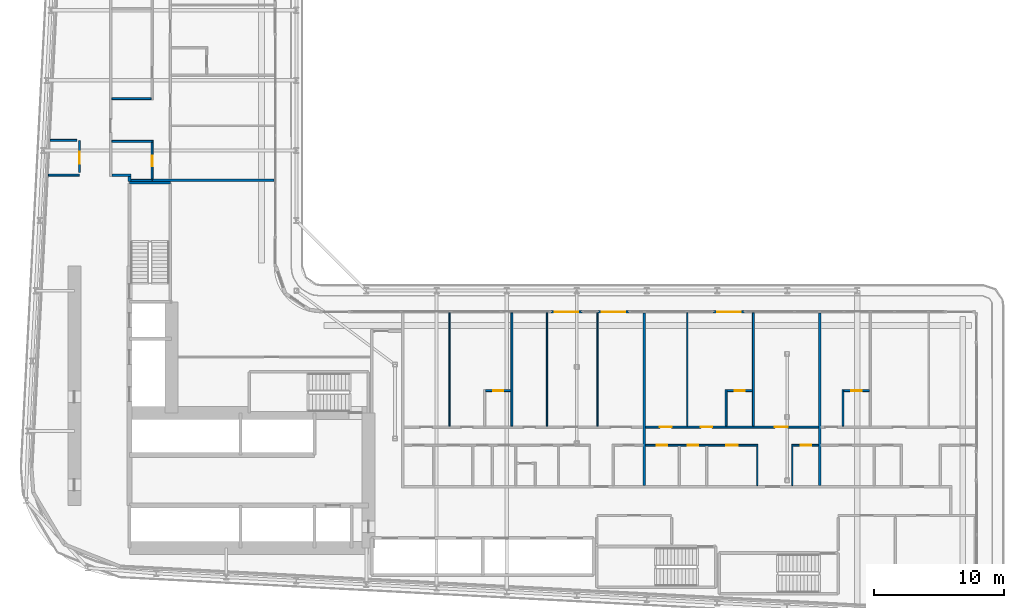
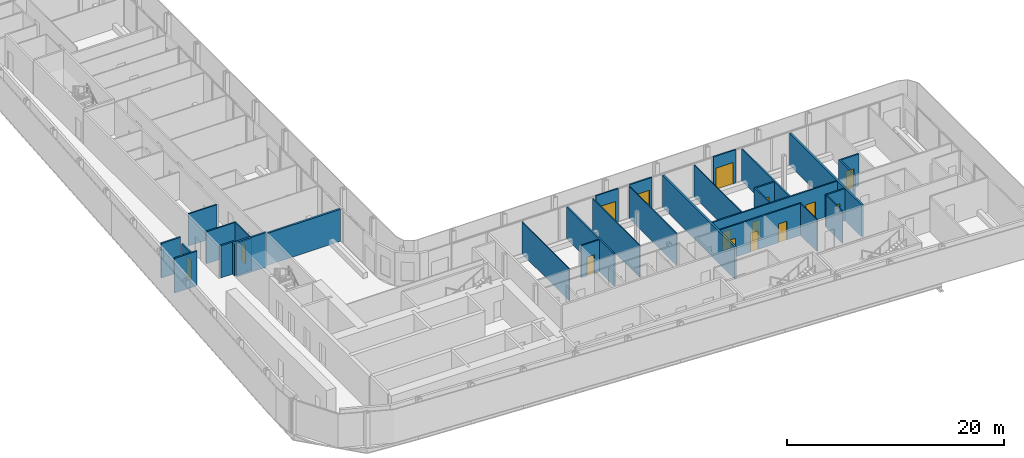
# One storey, part 17 of 29: 32 walls, 15 doors, 15 openings.
"""IFC4 building model written with IfcOpenShell, lengths in metres."""

import ifcopenshell
import ifcopenshell.guid

model = None  # the IFC model being written
_history = None  # IfcOwnerHistory: only IFC2X3 demands one
_inside = {}  # id of a spatial element -> (the spatial element, [elements in it])
_under = {}  # id of a project, library or spatial element -> (it, [spatial elements below it])
_declared = {}  # id of a project -> (the project, [libraries it declares])
_typed = {}  # id of a type object -> (the type object, [elements of that type])
_made_of = {}  # id of a material, layer set ... -> (it, [elements and type objects made of it])


def new_model(schema):
    """Start an empty IFC model of exactly this schema.

    Asked for "IFC4X3", IfcOpenShell would pick the latest addendum, in which some entities
    have other attributes; the version numbers below select the first issue.
    IFC2X3 requires an IfcOwnerHistory on every rooted entity: one is made here for all.
    """
    global model, _history
    if schema == "IFC4X3":
        model = ifcopenshell.file(schema_version=(4, 3, 0, 0))
    else:
        model = ifcopenshell.file(schema=schema)
    _inside.clear()
    _under.clear()
    _declared.clear()
    _typed.clear()
    _made_of.clear()
    _history = None
    if model.schema == "IFC2X3":
        org = make("IfcOrganization", Name="unknown")
        user = make(
            "IfcPersonAndOrganization",
            ThePerson=make("IfcPerson", FamilyName="unknown"),
            TheOrganization=org,
        )
        app = make(
            "IfcApplication",
            ApplicationDeveloper=org,
            Version="unknown",
            ApplicationFullName="unknown",
            ApplicationIdentifier="unknown",
        )
        _history = make(
            "IfcOwnerHistory",
            OwningUser=user,
            OwningApplication=app,
            ChangeAction="ADDED",
            CreationDate=0,
        )
    return model


def make(cls, **values):
    """One entity of the class cls with the attributes given. An attribute that is None is left unset."""
    return model.create_entity(
        cls, **{name: value for name, value in values.items() if value is not None}
    )


def rooted(cls, **values):
    """An entity with a GlobalId (a new one), such as an element, a storey or a relation."""
    return make(cls, GlobalId=ifcopenshell.guid.new(), OwnerHistory=_history, **values)


def si_unit(unit_type, name, prefix=None):
    """IfcSIUnit, for example si_unit("LENGTHUNIT", "METRE", prefix="MILLI")."""
    return make("IfcSIUnit", UnitType=unit_type, Prefix=prefix, Name=name)


def assignment(units):
    """IfcUnitAssignment: the units of a project."""
    return None if units is None else make("IfcUnitAssignment", Units=units)


def point(xyz):
    """IfcCartesianPoint."""
    return None if xyz is None else make("IfcCartesianPoint", Coordinates=xyz)


def direction(xyz):
    """IfcDirection."""
    return None if xyz is None else make("IfcDirection", DirectionRatios=xyz)


def frame(location, z_axis=None, x_axis=None):
    """IfcAxis2Placement3D, a coordinate frame: its origin and axes. An axis left out is left unset."""
    return make(
        "IfcAxis2Placement3D",
        Location=point(location),
        Axis=direction(z_axis),
        RefDirection=direction(x_axis),
    )


def frame_2d(location, x_axis=None):
    """IfcAxis2Placement2D, a coordinate frame in the plane: its origin and x axis."""
    return make(
        "IfcAxis2Placement2D", Location=point(location), RefDirection=direction(x_axis)
    )


def origin():
    """The frame at (0, 0, 0) with its axes left unset."""
    return frame((0.0, 0.0, 0.0))


def place(relative_to, where):
    """IfcLocalPlacement: puts the frame where relative to a parent placement (None: the world)."""
    return make(
        "IfcLocalPlacement", PlacementRelTo=relative_to, RelativePlacement=where
    )


def context(
    kind, dimensions, precision=None, world=None, true_north=None, identifier=None
):
    """IfcGeometricRepresentationContext, for example the 3D "Model" context."""
    return make(
        "IfcGeometricRepresentationContext",
        ContextIdentifier=identifier,
        ContextType=kind,
        CoordinateSpaceDimension=dimensions,
        Precision=precision,
        WorldCoordinateSystem=world,
        TrueNorth=true_north,
    )


def subcontext(parent, identifier, kind, view, scale=None):
    """IfcGeometricRepresentationSubContext, for example "Body" below "Model"."""
    return make(
        "IfcGeometricRepresentationSubContext",
        ContextIdentifier=identifier,
        ContextType=kind,
        ParentContext=parent,
        TargetScale=scale,
        TargetView=view,
    )


def project(units=None, contexts=None):
    """IfcProject with its units and contexts."""
    return rooted(
        "IfcProject",
        Name="project",
        RepresentationContexts=contexts,
        UnitsInContext=assignment(units),
    )


def spatial(cls, under=None, at=None, **own):
    """A site, building, storey or space (cls), placed at a placement, below another one or the project."""
    s = rooted(cls, ObjectPlacement=at, **own)
    if under is not None:
        _under.setdefault(under.id(), (under, []))[1].append(s)
    return s


def profile(cls, at=None, kind="AREA", **sizes):
    """A parametric profile (cls). Its sizes go by their IFC names, for example OverallWidth=200.0."""
    return make(cls, ProfileType=kind, Position=at, **sizes)


def rectangle(**sizes):
    """IfcRectangleProfileDef."""
    return profile("IfcRectangleProfileDef", **sizes)


def extrude(swept, where, along, depth):
    """IfcExtrudedAreaSolid: the profile swept, set in the frame where, extruded along a direction by depth."""
    return make(
        "IfcExtrudedAreaSolid",
        SweptArea=swept,
        Position=where,
        ExtrudedDirection=direction(along),
        Depth=depth,
    )


def shape(context_of_items, identifier, shape_type, items):
    """IfcShapeRepresentation: the items that make up one representation, for example the "Body"."""
    return make(
        "IfcShapeRepresentation",
        ContextOfItems=context_of_items,
        RepresentationIdentifier=identifier,
        RepresentationType=shape_type,
        Items=items,
    )


def source(mapping_origin, context_of_items, identifier, shape_type, items):
    """IfcRepresentationMap: a shape defined once, which mapped items show again and again."""
    return make(
        "IfcRepresentationMap",
        MappingOrigin=mapping_origin,
        MappedRepresentation=shape(context_of_items, identifier, shape_type, items),
    )


def transform(
    local_origin,
    x_axis=None,
    y_axis=None,
    z_axis=None,
    scale=None,
    scale2=None,
    scale3=None,
    uniform=True,
):
    """IfcCartesianTransformationOperator3D, or its non-uniform kind. x_axis, y_axis, z_axis: its Axis1, 2, 3."""
    if uniform:
        return make(
            "IfcCartesianTransformationOperator3D",
            Axis1=direction(x_axis),
            Axis2=direction(y_axis),
            LocalOrigin=point(local_origin),
            Scale=scale,
            Axis3=direction(z_axis),
        )
    return make(
        "IfcCartesianTransformationOperator3DnonUniform",
        Axis1=direction(x_axis),
        Axis2=direction(y_axis),
        LocalOrigin=point(local_origin),
        Scale=scale,
        Axis3=direction(z_axis),
        Scale2=scale2,
        Scale3=scale3,
    )


def mapped(mapping_source, mapping_target):
    """IfcMappedItem: shows the shape of a source again, moved by a transform."""
    return make(
        "IfcMappedItem", MappingSource=mapping_source, MappingTarget=mapping_target
    )


def material(Name=None, Category=None):
    """IfcMaterial."""
    return make("IfcMaterial", Name=Name, Category=Category)


def layer(
    of_material, thickness, ventilated=None, Name=None, Category=None, Priority=None
):
    """IfcMaterialLayer: one layer of a wall or slab, of a material (None: an air gap)."""
    return make(
        "IfcMaterialLayer",
        Material=of_material,
        LayerThickness=thickness,
        IsVentilated=ventilated,
        Name=Name,
        Category=Category,
        Priority=Priority,
    )


def layer_set(layers, Name=None):
    """IfcMaterialLayerSet."""
    return make("IfcMaterialLayerSet", MaterialLayers=layers, LayerSetName=Name)


def made_of(thing, what):
    """Note that an element or type object is made of a material, layer set ...; save() writes the relation."""
    if what is not None:
        _made_of.setdefault(what.id(), (what, []))[1].append(thing)
    return thing


def type_object(cls, material=None, **own):
    """A type object (cls), such as IfcWallType, which elements share."""
    return made_of(rooted(cls, **own), material)


def element(
    cls,
    number,
    at=None,
    inside=None,
    cuts=None,
    type_object=None,
    material=None,
    context=None,
    identifier="Body",
    shape_type=None,
    held_by="IfcProductDefinitionShape",
    body=None,
    shapes=None,
    **own,
):
    """One element of the class cls, such as IfcWall. Its Tag is "e" and its number.

    at: its placement. inside: the storey or other place that contains it. cuts: it is an
    opening in that element (IfcRelVoidsElement). A single representation is given by context,
    identifier, shape_type and body (its items); several are given by shapes. held_by: the class
    of the entity that holds the representations. save() writes the other relations.
    """
    e = rooted(cls, Tag="e%d" % number, ObjectPlacement=at, **own)
    if body is not None:
        shapes = [shape(context, identifier, shape_type, body)]
    if shapes is not None:
        e.Representation = make(held_by, Representations=shapes)
    if inside is not None:
        _inside.setdefault(inside.id(), (inside, []))[1].append(e)
    if cuts is not None:
        rooted(
            "IfcRelVoidsElement", RelatingBuildingElement=cuts, RelatedOpeningElement=e
        )
    if type_object is not None:
        _typed.setdefault(type_object.id(), (type_object, []))[1].append(e)
    return made_of(e, material)


def fill(opening, filler):
    """IfcRelFillsElement: the door or window that sits in an opening."""
    return rooted(
        "IfcRelFillsElement",
        RelatingOpeningElement=opening,
        RelatedBuildingElement=filler,
    )


def aggregate(whole, parts):
    """IfcRelAggregates: a whole, such as a stair, and the parts it consists of."""
    return rooted("IfcRelAggregates", RelatingObject=whole, RelatedObjects=parts)


def save(model, path):
    """Write the relations noted so far, then the file.

    IfcRelAggregates (storeys below a building ...), IfcRelContainedInSpatialStructure (elements
    in a storey), IfcRelDefinesByType, IfcRelAssociatesMaterial and IfcRelDeclares: one each for
    every whole, place, type object, material and project.
    """
    for whole, parts in _under.values():
        aggregate(whole, parts)
    for where, things in _inside.values():
        rooted(
            "IfcRelContainedInSpatialStructure",
            RelatedElements=things,
            RelatingStructure=where,
        )
    for kind, things in _typed.values():
        rooted("IfcRelDefinesByType", RelatedObjects=things, RelatingType=kind)
    for what, things in _made_of.values():
        rooted("IfcRelAssociatesMaterial", RelatedObjects=things, RelatingMaterial=what)
    for by, libraries in _declared.values():
        rooted("IfcRelDeclares", RelatingContext=by, RelatedDefinitions=libraries)
    model.write(path)


model = new_model("IFC4")

# Units and contexts
model_context = context("Model", 3, precision=1e-05, world=origin(), true_north=direction((0.0, 1.0)))
body_context = subcontext(model_context, "Body", "Model", "MODEL_VIEW")
ifc_project = project(units=[si_unit("LENGTHUNIT", "METRE"), si_unit("AREAUNIT", "SQUARE_METRE"), si_unit("VOLUMEUNIT", "CUBIC_METRE"), si_unit("PLANEANGLEUNIT", "RADIAN"), si_unit("MASSUNIT", "GRAM", prefix="KILO")], contexts=[model_context])

# Site, building, storey
site_placement = place(None, origin())
site = spatial("IfcSite", under=ifc_project, at=site_placement, CompositionType="ELEMENT")
building_placement = place(site_placement, origin())
building = spatial("IfcBuilding", under=site, at=building_placement, Name="Kheshtan School and Residences Tower", CompositionType="ELEMENT")
storey_placement = place(building_placement, frame((0.0, 0.0, 69.5)))
storey = spatial("IfcBuildingStorey", under=building, at=storey_placement, Name="L16", CompositionType="ELEMENT", Elevation=69.5)

# Walls
ifc_material_1 = material(Name="Gypsum board on steel studs with fire boards", Category="steel")
ifc_layer_1 = layer(ifc_material_1, 0.199951171875)
ifc_layer_set_1 = layer_set([ifc_layer_1], Name="Corridor wall 200")
wall_type_1 = type_object("IfcWallType", Name="Corridor wall 200", PredefinedType="PARTITIONING", material=ifc_layer_set_1)
wall_1_placement = place(storey_placement, frame((33.39990234375, 54.5, 0.0), z_axis=(0.0, 0.0, 1.0), x_axis=(1.0, 0.0, 0.0)))
element("IfcWall", 1, at=wall_1_placement, inside=storey, type_object=wall_type_1, Name="Partition L16-005", PredefinedType="PARTITIONING", context=body_context, shape_type="SweptSolid", body=[
    extrude(rectangle(XDim=1.4501953125, YDim=0.199951171875, at=frame_2d((0.72509765625, 0.0))), origin(), (0.0, 0.0, 1.0), 3.60009765625),
])
wall_2_placement = place(storey_placement, frame((34.75, 54.02490234375, 0.0), z_axis=(0.0, 0.0, 1.0), x_axis=(0.0, 1.0, 0.0)))
element("IfcWall", 2, at=wall_2_placement, inside=storey, type_object=wall_type_1, Name="Partition L16-015", PredefinedType="PARTITIONING", context=body_context, shape_type="SweptSolid", body=[
    extrude(rectangle(XDim=0.375, YDim=0.199951171875, at=frame_2d((0.1875, 0.0))), origin(), (0.0, 0.0, 1.0), 3.60009765625),
])

# Wall, opening, door
ifc_material_2 = material(Name="Aluminium frame wall with insulated infill", Category="aluminium")
ifc_layer_2 = layer(ifc_material_2, 0.14990234375)
ifc_layer_set_2 = layer_set([ifc_layer_2], Name="Glazing frame wall 150")
wall_type_2 = type_object("IfcWallType", Name="Glazing frame wall 150", PredefinedType="SOLIDWALL", material=ifc_layer_set_2)
wall_3_placement = place(storey_placement, frame((67.218017578125, 43.97509765625, 0.0), z_axis=(0.0, 0.0, 1.0), x_axis=(1.0, 0.0, 0.0)))
wall_3 = element("IfcWall", 3, at=wall_3_placement, inside=storey, type_object=wall_type_2, Name="Balcony door wall L16 12.2", PredefinedType="SOLIDWALL", context=body_context, shape_type="SweptSolid", body=[
    extrude(rectangle(XDim=2.39990234375, YDim=0.14990234375, at=frame_2d((1.199951171875, 0.0))), origin(), (0.0, 0.0, 1.0), 3.75),
])
opening_1_placement = place(wall_3_placement, frame((0.300048828125, 0.0, 0.0)))
opening_1 = element("IfcOpeningElement", 4, at=opening_1_placement, cuts=wall_3, Name="Opening BD", PredefinedType="OPENING", context=body_context, shape_type="SweptSolid", body=[
    extrude(rectangle(XDim=1.800048828125, YDim=2.39990234375, at=frame_2d((0.89990234375, 1.199951171875))), frame((0.0, 0.0849609375, 0.0), z_axis=(0.0, -1.0, 0.0), x_axis=(1.0, 0.0, 0.0)), (0.0, 0.0, 1.0), 0.169921875),
])
ifc_material_3 = material(Name="Clear low-e glass in thermally broken aluminium frame", Category="aluminium")
door_type_1 = type_object("IfcDoorType", Name="Balcony sliding door", OperationType="SLIDING_TO_LEFT", PredefinedType="DOOR", material=ifc_material_3)
shared_shape_1 = source(origin(), body_context, "Body", "SweptSolid", [
    extrude(rectangle(XDim=1.800048828125, YDim=2.39990234375, at=frame_2d((0.89990234375, 1.199951171875))), frame((0.0, 0.02490234375, 0.0), z_axis=(0.0, -1.0, 0.0), x_axis=(1.0, 0.0, 0.0)), (0.0, 0.0, 1.0), 0.050048828125),
])
door_1_placement = place(opening_1_placement, origin())
door_1 = element("IfcDoor", 5, at=door_1_placement, inside=storey, type_object=door_type_1, Name="Balcony door L16 12.2", OperationType="SLIDING_TO_LEFT", OverallHeight=2.39990234375, OverallWidth=1.800048828125, PredefinedType="DOOR", context=body_context, shape_type="MappedRepresentation", body=[
    mapped(shared_shape_1, transform((0.0, 0.0, 0.0), x_axis=(1.0, 0.0, 0.0), y_axis=(0.0, 1.0, 0.0), z_axis=(0.0, 0.0, 1.0), scale=1.0)),
])
fill(opening_1, door_1)

wall_4_placement = place(storey_placement, frame((70.818115234375, 43.97509765625, 0.0), z_axis=(0.0, 0.0, 1.0), x_axis=(1.0, 0.0, 0.0)))
wall_4 = element("IfcWall", 6, at=wall_4_placement, inside=storey, type_object=wall_type_2, Name="Balcony door wall L16 12.3", PredefinedType="SOLIDWALL", context=body_context, shape_type="SweptSolid", body=[
    extrude(rectangle(XDim=2.39990234375, YDim=0.14990234375, at=frame_2d((1.199951171875, 0.0))), origin(), (0.0, 0.0, 1.0), 3.75),
])
opening_2_placement = place(wall_4_placement, frame((0.300048828125, 0.0, 0.0)))
opening_2 = element("IfcOpeningElement", 7, at=opening_2_placement, cuts=wall_4, Name="Opening BD", PredefinedType="OPENING", context=body_context, shape_type="SweptSolid", body=[
    extrude(rectangle(XDim=1.800048828125, YDim=2.39990234375, at=frame_2d((0.89990234375, 1.199951171875))), frame((0.0, 0.0849609375, 0.0), z_axis=(0.0, -1.0, 0.0), x_axis=(1.0, 0.0, 0.0)), (0.0, 0.0, 1.0), 0.169921875),
])
door_2_placement = place(opening_2_placement, origin())
door_2 = element("IfcDoor", 8, at=door_2_placement, inside=storey, type_object=door_type_1, Name="Balcony door L16 12.3", OperationType="SLIDING_TO_LEFT", OverallHeight=2.39990234375, OverallWidth=1.800048828125, PredefinedType="DOOR", context=body_context, shape_type="MappedRepresentation", body=[
    mapped(shared_shape_1, transform((0.0, 0.0, 0.0), x_axis=(1.0, 0.0, 0.0), y_axis=(0.0, 1.0, 0.0), z_axis=(0.0, 0.0, 1.0), scale=1.0)),
])
fill(opening_2, door_2)

wall_5_placement = place(storey_placement, frame((79.7119140625, 43.97509765625, 0.0), z_axis=(0.0, 0.0, 1.0), x_axis=(1.0, 0.0, 0.0)))
wall_5 = element("IfcWall", 9, at=wall_5_placement, inside=storey, type_object=wall_type_2, Name="Balcony door wall L16 12.4", PredefinedType="SOLIDWALL", context=body_context, shape_type="SweptSolid", body=[
    extrude(rectangle(XDim=2.400146484375, YDim=0.14990234375, at=frame_2d((1.2001953125, 0.0))), origin(), (0.0, 0.0, 1.0), 3.75),
])
opening_3_placement = place(wall_5_placement, frame((0.300048828125, 0.0, 0.0)))
opening_3 = element("IfcOpeningElement", 10, at=opening_3_placement, cuts=wall_5, Name="Opening BD", PredefinedType="OPENING", context=body_context, shape_type="SweptSolid", body=[
    extrude(rectangle(XDim=1.800048828125, YDim=2.39990234375, at=frame_2d((0.89990234375, 1.199951171875))), frame((0.0, 0.0849609375, 0.0), z_axis=(0.0, -1.0, 0.0), x_axis=(1.0, 0.0, 0.0)), (0.0, 0.0, 1.0), 0.169921875),
])
door_3_placement = place(opening_3_placement, origin())
door_3 = element("IfcDoor", 11, at=door_3_placement, inside=storey, type_object=door_type_1, Name="Balcony door L16 12.4", OperationType="SLIDING_TO_LEFT", OverallHeight=2.39990234375, OverallWidth=1.800048828125, PredefinedType="DOOR", context=body_context, shape_type="MappedRepresentation", body=[
    mapped(shared_shape_1, transform((0.0, 0.0, 0.0), x_axis=(1.0, 0.0, 0.0), y_axis=(0.0, 1.0, 0.0), z_axis=(0.0, 0.0, 1.0), scale=1.0)),
])
fill(opening_3, door_3)

# Walls
ifc_material_4 = material(Name="Gypsum board on steel studs", Category="steel")
ifc_layer_3 = layer(ifc_material_4, 0.10009765625)
ifc_layer_set_3 = layer_set([ifc_layer_3], Name="Gypsum partition 100")
wall_type_3 = type_object("IfcWallType", Name="Gypsum partition 100", PredefinedType="PARTITIONING", material=ifc_layer_set_3)
for number, where, z_axis, x_axis, name in (
    (12, (59.39990234375, 35.175048828125, 0.0), (0.0, 0.0, 1.0), (0.0, 1.0, 0.0), "Partition L16-045"),
    (13, (66.89990234375, 35.175048828125, 0.0), (0.0, 0.0, 1.0), (0.0, 1.0, 0.0), "Partition L16-054"),
    (14, (70.800048828125, 35.175048828125, 0.0), (0.0, 0.0, 1.0), (0.0, 1.0, 0.0), "Partition L16-057"),
    (15, (77.699951171875, 35.175048828125, 0.0), (0.0, 0.0, 1.0), (0.0, 1.0, 0.0), "Partition L16-064"),
):
    element("IfcWall", number, at=place(storey_placement, frame(where, z_axis=z_axis, x_axis=x_axis)), inside=storey, type_object=wall_type_3, Name=name, PredefinedType="PARTITIONING", context=body_context, shape_type="SweptSolid", body=[
        extrude(rectangle(XDim=8.724853515625, YDim=0.10009765625, at=frame_2d((4.3623046875, 0.0))), origin(), (0.0, 0.0, 1.0), 3.60009765625),
    ])
for number, where, z_axis, x_axis, name in (
    (16, (83.10009765625, 30.60009765625, 0.0), (0.0, 0.0, 1.0), (0.0, 1.0, 0.0), "Partition L16-069"),
    (17, (85.800048828125, 30.60009765625, 0.0), (0.0, 0.0, 1.0), (0.0, 1.0, 0.0), "Partition L16-071"),
):
    element("IfcWall", number, at=place(storey_placement, frame(where, z_axis=z_axis, x_axis=x_axis)), inside=storey, type_object=wall_type_3, Name=name, PredefinedType="PARTITIONING", context=body_context, shape_type="SweptSolid", body=[
        extrude(rectangle(XDim=3.02490234375, YDim=0.10009765625, at=frame_2d((1.512451171875, 0.0))), origin(), (0.0, 0.0, 1.0), 3.60009765625),
    ])
ifc_material_5 = material(Name="Fire-board shaft wall system")
ifc_layer_4 = layer(ifc_material_5, 0.14990234375)
ifc_layer_set_4 = layer_set([ifc_layer_4], Name="Service room wall 150")
wall_type_4 = type_object("IfcWallType", Name="Service room wall 150", PredefinedType="PARTITIONING", material=ifc_layer_set_4)
wall_6_placement = place(storey_placement, frame((28.508056640625, 54.5, 0.0), z_axis=(0.0, 0.0, 1.0), x_axis=(1.0, 0.0, 0.0)))
element("IfcWall", 18, at=wall_6_placement, inside=storey, type_object=wall_type_4, Name="Service room wall", PredefinedType="PARTITIONING", context=body_context, shape_type="SweptSolid", body=[
    extrude(rectangle(XDim=2.391845703125, YDim=0.14990234375, at=frame_2d((1.19580078125, 0.0))), origin(), (0.0, 0.0, 1.0), 3.89990234375),
])

# Wall, opening, door
wall_7_placement = place(storey_placement, frame((30.89990234375, 54.695068359375, 0.0), z_axis=(0.0, 0.0, 1.0), x_axis=(0.0, 1.0, 0.0)))
wall_7 = element("IfcWall", 19, at=wall_7_placement, inside=storey, type_object=wall_type_4, Name="Service room wall", PredefinedType="PARTITIONING", context=body_context, shape_type="SweptSolid", body=[
    extrude(rectangle(XDim=2.48681640625, YDim=0.14990234375, at=frame_2d((1.243408203125, 0.0))), origin(), (0.0, 0.0, 1.0), 3.072021484375),
])
opening_4_placement = place(wall_7_placement, frame((0.696044921875, 0.0, 0.0)))
opening_4 = element("IfcOpeningElement", 20, at=opening_4_placement, cuts=wall_7, Name="Opening SR90", PredefinedType="OPENING", context=body_context, shape_type="SweptSolid", body=[
    extrude(rectangle(XDim=0.89990234375, YDim=2.199951171875, at=frame_2d((0.449951171875, 1.10009765625))), frame((0.0, 0.0849609375, 0.0), z_axis=(0.0, -1.0, 0.0), x_axis=(1.0, 0.0, 0.0)), (0.0, 0.0, 1.0), 0.169921875),
])
ifc_material_6 = material(Name="Steel door leaf, galvanised", Category="steel")
door_type_2 = type_object("IfcDoorType", Name="Service room door 900 steel 90 min", OperationType="SINGLE_SWING_LEFT", PredefinedType="DOOR", material=ifc_material_6)
shared_shape_2 = source(origin(), body_context, "Body", "SweptSolid", [
    extrude(rectangle(XDim=0.89990234375, YDim=2.199951171875, at=frame_2d((0.449951171875, 1.10009765625))), frame((0.0, 0.02490234375, 0.0), z_axis=(0.0, -1.0, 0.0), x_axis=(1.0, 0.0, 0.0)), (0.0, 0.0, 1.0), 0.050048828125),
])
door_4_placement = place(opening_4_placement, origin())
door_4 = element("IfcDoor", 21, at=door_4_placement, inside=storey, type_object=door_type_2, Name="Service room door", OperationType="SINGLE_SWING_LEFT", OverallHeight=2.199951171875, OverallWidth=0.89990234375, PredefinedType="DOOR", context=body_context, shape_type="MappedRepresentation", body=[
    mapped(shared_shape_2, transform((0.0, 0.0, 0.0), x_axis=(1.0, 0.0, 0.0), y_axis=(0.0, 1.0, 0.0), z_axis=(0.0, 0.0, 1.0), scale=1.0)),
])
fill(opening_4, door_4)

# Walls
wall_8_placement = place(storey_placement, frame((28.64892578125, 57.181884765625, 0.0), z_axis=(0.0, 0.0, 1.0), x_axis=(1.0, 0.0, 0.0)))
element("IfcWall", 22, at=wall_8_placement, inside=storey, type_object=wall_type_4, Name="Service room wall", PredefinedType="PARTITIONING", context=body_context, shape_type="SweptSolid", body=[
    extrude(rectangle(XDim=2.05615234375, YDim=0.14990234375, at=frame_2d((1.028076171875, 0.0))), origin(), (0.0, 0.0, 1.0), 3.89990234375),
])
ifc_material_7 = material(Name="Concrete C40/50", Category="concrete")
ifc_layer_5 = layer(ifc_material_7, 0.199951171875)
ifc_layer_set_5 = layer_set([ifc_layer_5], Name="Stair enclosure wall 200 Concrete C40/50")
wall_type_5 = type_object("IfcWallType", Name="Stair enclosure wall 200 Concrete C40/50", PredefinedType="SHEAR", material=ifc_layer_set_5)
wall_9_placement = place(storey_placement, frame((34.75, 53.909912109375, 0.0), z_axis=(0.0, 0.0, 1.0), x_axis=(1.0, 0.0, 0.0)))
element("IfcWall", 23, at=wall_9_placement, inside=storey, type_object=wall_type_5, Name="Stair enclosure wall ST2", PredefinedType="SHEAR", context=body_context, shape_type="SweptSolid", body=[
    extrude(rectangle(XDim=3.14990234375, YDim=0.199951171875, at=frame_2d((1.574951171875, 0.0))), origin(), (0.0, 0.0, 1.0), 3.89990234375),
])
ifc_material_8 = material(Name="Twin gypsum board on steel studs with mineral wool", Category="steel")
ifc_layer_6 = layer(ifc_material_8, 0.199951171875)
ifc_layer_set_6 = layer_set([ifc_layer_6], Name="Unit demising wall 200")
wall_type_6 = type_object("IfcWallType", Name="Unit demising wall 200", PredefinedType="PARTITIONING", material=ifc_layer_set_6)
wall_10_placement = place(storey_placement, frame((36.5, 54.10009765625, 0.0), z_axis=(0.0, 0.0, 1.0), x_axis=(1.0, 0.0, 0.0)))
element("IfcWall", 24, at=wall_10_placement, inside=storey, type_object=wall_type_6, Name="Partition L16-019", PredefinedType="PARTITIONING", context=body_context, shape_type="SweptSolid", body=[
    extrude(rectangle(XDim=9.39990234375, YDim=0.199951171875, at=frame_2d((4.699951171875, 0.0))), origin(), (0.0, 0.0, 1.0), 3.60009765625),
])
for number, where, z_axis, x_axis, name in (
    (25, (74.39990234375, 30.60009765625, 0.0), (0.0, 0.0, 1.0), (0.0, 1.0, 0.0), "Partition L16-060"),
    (26, (87.89990234375, 30.60009765625, 0.0), (0.0, 0.0, 1.0), (0.0, 1.0, 0.0), "Partition L16-072"),
):
    element("IfcWall", number, at=place(storey_placement, frame(where, z_axis=z_axis, x_axis=x_axis)), inside=storey, type_object=wall_type_6, Name=name, PredefinedType="PARTITIONING", context=body_context, shape_type="SweptSolid", body=[
        extrude(rectangle(XDim=13.2998046875, YDim=0.199951171875, at=frame_2d((6.64990234375, 0.0))), origin(), (0.0, 0.0, 1.0), 3.60009765625),
    ])
ifc_material_9 = material(Name="Moisture-resistant gypsum board on steel studs", Category="steel")
ifc_layer_7 = layer(ifc_material_9, 0.14990234375)
ifc_layer_set_7 = layer_set([ifc_layer_7], Name="Wet-room partition 150")
wall_type_7 = type_object("IfcWallType", Name="Wet-room partition 150", PredefinedType="PARTITIONING", material=ifc_layer_set_7)
wall_11_placement = place(storey_placement, frame((33.39990234375, 57.10009765625, 0.0), z_axis=(0.0, 0.0, 1.0), x_axis=(1.0, 0.0, 0.0)))
element("IfcWall", 27, at=wall_11_placement, inside=storey, type_object=wall_type_7, Name="Partition L16-006", PredefinedType="PARTITIONING", context=body_context, shape_type="SweptSolid", body=[
    extrude(rectangle(XDim=3.175048828125, YDim=0.14990234375, at=frame_2d((1.58740234375, 0.0))), origin(), (0.0, 0.0, 1.0), 3.60009765625),
])
wall_12_placement = place(storey_placement, frame((33.39990234375, 60.39990234375, 0.0), z_axis=(0.0, 0.0, 1.0), x_axis=(1.0, 0.0, 0.0)))
element("IfcWall", 28, at=wall_12_placement, inside=storey, type_object=wall_type_7, Name="Partition L16-007", PredefinedType="PARTITIONING", context=body_context, shape_type="SweptSolid", body=[
    extrude(rectangle(XDim=3.025146484375, YDim=0.14990234375, at=frame_2d((1.5126953125, 0.0))), origin(), (0.0, 0.0, 1.0), 3.60009765625),
])
wall_13_placement = place(storey_placement, frame((34.85009765625, 54.10009765625, 0.0), z_axis=(0.0, 0.0, 1.0), x_axis=(1.0, 0.0, 0.0)))
element("IfcWall", 29, at=wall_13_placement, inside=storey, type_object=wall_type_7, Name="Partition L16-016", PredefinedType="PARTITIONING", context=body_context, shape_type="SweptSolid", body=[
    extrude(rectangle(XDim=1.64990234375, YDim=0.14990234375, at=frame_2d((0.824951171875, 0.0))), origin(), (0.0, 0.0, 1.0), 3.60009765625),
])

# Wall, opening, door
wall_14_placement = place(storey_placement, frame((36.5, 54.199951171875, 0.0), z_axis=(0.0, 0.0, 1.0), x_axis=(0.0, 1.0, 0.0)))
wall_14 = element("IfcWall", 30, at=wall_14_placement, inside=storey, type_object=wall_type_7, Name="Partition L16-020", PredefinedType="PARTITIONING", context=body_context, shape_type="SweptSolid", body=[
    extrude(rectangle(XDim=2.824951171875, YDim=0.14990234375, at=frame_2d((1.41259765625, 0.0))), origin(), (0.0, 0.0, 1.0), 3.60009765625),
])
opening_5_placement = place(wall_14_placement, frame((1.0, 0.0, 0.0)))
opening_5 = element("IfcOpeningElement", 31, at=opening_5_placement, cuts=wall_14, Name="Opening D14-033", PredefinedType="OPENING", context=body_context, shape_type="SweptSolid", body=[
    extrude(rectangle(XDim=0.800048828125, YDim=2.10009765625, at=frame_2d((0.39990234375, 1.050048828125))), frame((0.0, 0.0849609375, 0.0), z_axis=(0.0, -1.0, 0.0), x_axis=(1.0, 0.0, 0.0)), (0.0, 0.0, 1.0), 0.169921875),
])
ifc_material_10 = material(Name="Veneered timber door leaf", Category="wood")
door_type_3 = type_object("IfcDoorType", Name="Door 800 x 2100", OperationType="SINGLE_SWING_LEFT", PredefinedType="DOOR", material=ifc_material_10)
shared_shape_3 = source(origin(), body_context, "Body", "SweptSolid", [
    extrude(rectangle(XDim=0.800048828125, YDim=2.10009765625, at=frame_2d((0.39990234375, 1.050048828125))), frame((0.0, 0.02490234375, 0.0), z_axis=(0.0, -1.0, 0.0), x_axis=(1.0, 0.0, 0.0)), (0.0, 0.0, 1.0), 0.050048828125),
])
door_5_placement = place(opening_5_placement, origin())
door_5 = element("IfcDoor", 32, at=door_5_placement, inside=storey, type_object=door_type_3, Name="Door D14-033", OperationType="SINGLE_SWING_RIGHT", OverallHeight=2.10009765625, OverallWidth=0.800048828125, PredefinedType="DOOR", context=body_context, shape_type="MappedRepresentation", body=[
    mapped(shared_shape_3, transform((0.0, 0.0, 0.0), x_axis=(1.0, 0.0, 0.0), y_axis=(0.0, 1.0, 0.0), z_axis=(0.0, 0.0, 1.0), scale=1.0)),
])
fill(opening_5, door_5)

wall_15_placement = place(storey_placement, frame((62.175048828125, 37.89990234375, 0.0), z_axis=(0.0, 0.0, 1.0), x_axis=(1.0, 0.0, 0.0)))
wall_15 = element("IfcWall", 33, at=wall_15_placement, inside=storey, type_object=wall_type_7, Name="Partition L16-048", PredefinedType="PARTITIONING", context=body_context, shape_type="SweptSolid", body=[
    extrude(rectangle(XDim=1.949951171875, YDim=0.14990234375, at=frame_2d((0.97509765625, 0.0))), origin(), (0.0, 0.0, 1.0), 3.60009765625),
])
opening_6_placement = place(wall_15_placement, frame((0.574951171875, 0.0, 0.0)))
opening_6 = element("IfcOpeningElement", 34, at=opening_6_placement, cuts=wall_15, Name="Opening D14-006", PredefinedType="OPENING", context=body_context, shape_type="SweptSolid", body=[
    extrude(rectangle(XDim=0.800048828125, YDim=2.10009765625, at=frame_2d((0.39990234375, 1.050048828125))), frame((0.0, 0.0849609375, 0.0), z_axis=(0.0, -1.0, 0.0), x_axis=(1.0, 0.0, 0.0)), (0.0, 0.0, 1.0), 0.169921875),
])
door_6_placement = place(opening_6_placement, origin())
door_6 = element("IfcDoor", 35, at=door_6_placement, inside=storey, type_object=door_type_3, Name="Door D14-006", OperationType="SINGLE_SWING_LEFT", OverallHeight=2.10009765625, OverallWidth=0.800048828125, PredefinedType="DOOR", context=body_context, shape_type="MappedRepresentation", body=[
    mapped(shared_shape_3, transform((0.0, 0.0, 0.0), x_axis=(1.0, 0.0, 0.0), y_axis=(0.0, 1.0, 0.0), z_axis=(0.0, 0.0, 1.0), scale=1.0)),
])
fill(opening_6, door_6)

# Wall
wall_16_placement = place(storey_placement, frame((64.199951171875, 35.175048828125, 0.0), z_axis=(0.0, 0.0, 1.0), x_axis=(0.0, 1.0, 0.0)))
element("IfcWall", 36, at=wall_16_placement, inside=storey, type_object=wall_type_7, Name="Partition L16-050", PredefinedType="PARTITIONING", context=body_context, shape_type="SweptSolid", body=[
    extrude(rectangle(XDim=8.724853515625, YDim=0.14990234375, at=frame_2d((4.3623046875, 0.0))), origin(), (0.0, 0.0, 1.0), 3.60009765625),
])

# Wall, openings, doors
wall_17_placement = place(storey_placement, frame((74.5, 33.699951171875, 0.0), z_axis=(0.0, 0.0, 1.0), x_axis=(1.0, 0.0, 0.0)))
wall_17 = element("IfcWall", 37, at=wall_17_placement, inside=storey, type_object=wall_type_7, Name="Partition L16-061", PredefinedType="PARTITIONING", context=body_context, shape_type="SweptSolid", body=[
    extrude(rectangle(XDim=8.64990234375, YDim=0.14990234375, at=frame_2d((4.324951171875, 0.0))), origin(), (0.0, 0.0, 1.0), 3.60009765625),
])
opening_7_placement = place(wall_17_placement, frame((0.85009765625, 0.0, 0.0)))
opening_7 = element("IfcOpeningElement", 38, at=opening_7_placement, cuts=wall_17, Name="Opening D14-016", PredefinedType="OPENING", context=body_context, shape_type="SweptSolid", body=[
    extrude(rectangle(XDim=0.800048828125, YDim=2.10009765625, at=frame_2d((0.39990234375, 1.050048828125))), frame((0.0, 0.0849609375, 0.0), z_axis=(0.0, -1.0, 0.0), x_axis=(1.0, 0.0, 0.0)), (0.0, 0.0, 1.0), 0.169921875),
])
opening_8_placement = place(wall_17_placement, frame((6.199951171875, 0.0, 0.0)))
opening_8 = element("IfcOpeningElement", 39, at=opening_8_placement, cuts=wall_17, Name="Opening D14-020", PredefinedType="OPENING", context=body_context, shape_type="SweptSolid", body=[
    extrude(rectangle(XDim=0.89990234375, YDim=2.10009765625, at=frame_2d((0.449951171875, 1.050048828125))), frame((0.0, 0.0849609375, 0.0), z_axis=(0.0, -1.0, 0.0), x_axis=(1.0, 0.0, 0.0)), (0.0, 0.0, 1.0), 0.169921875),
])
opening_9_placement = place(wall_17_placement, frame((3.25, 0.0, 0.0)))
opening_9 = element("IfcOpeningElement", 40, at=opening_9_placement, cuts=wall_17, Name="Opening D14-024", PredefinedType="OPENING", context=body_context, shape_type="SweptSolid", body=[
    extrude(rectangle(XDim=0.800048828125, YDim=2.10009765625, at=frame_2d((0.39990234375, 1.050048828125))), frame((0.0, 0.0849609375, 0.0), z_axis=(0.0, -1.0, 0.0), x_axis=(1.0, 0.0, 0.0)), (0.0, 0.0, 1.0), 0.169921875),
])
door_7_placement = place(opening_7_placement, origin())
door_7 = element("IfcDoor", 41, at=door_7_placement, inside=storey, type_object=door_type_3, Name="Door D14-016", OperationType="SINGLE_SWING_LEFT", OverallHeight=2.10009765625, OverallWidth=0.800048828125, PredefinedType="DOOR", context=body_context, shape_type="MappedRepresentation", body=[
    mapped(shared_shape_3, transform((0.0, 0.0, 0.0), x_axis=(1.0, 0.0, 0.0), y_axis=(0.0, 1.0, 0.0), z_axis=(0.0, 0.0, 1.0), scale=1.0)),
])
fill(opening_7, door_7)
door_8_placement = place(opening_9_placement, origin())
door_8 = element("IfcDoor", 42, at=door_8_placement, inside=storey, type_object=door_type_3, Name="Door D14-024", OperationType="SINGLE_SWING_LEFT", OverallHeight=2.10009765625, OverallWidth=0.800048828125, PredefinedType="DOOR", context=body_context, shape_type="MappedRepresentation", body=[
    mapped(shared_shape_3, transform((0.0, 0.0, 0.0), x_axis=(1.0, 0.0, 0.0), y_axis=(0.0, 1.0, 0.0), z_axis=(0.0, 0.0, 1.0), scale=1.0)),
])
fill(opening_9, door_8)
door_type_4 = type_object("IfcDoorType", Name="Door 900 x 2100", OperationType="SINGLE_SWING_LEFT", PredefinedType="DOOR", material=ifc_material_10)
shared_shape_4 = source(origin(), body_context, "Body", "SweptSolid", [
    extrude(rectangle(XDim=0.89990234375, YDim=2.10009765625, at=frame_2d((0.449951171875, 1.050048828125))), frame((0.0, 0.02490234375, 0.0), z_axis=(0.0, -1.0, 0.0), x_axis=(1.0, 0.0, 0.0)), (0.0, 0.0, 1.0), 0.050048828125),
])
door_9_placement = place(opening_8_placement, origin())
door_9 = element("IfcDoor", 43, at=door_9_placement, inside=storey, type_object=door_type_4, Name="Door D14-020", OperationType="SINGLE_SWING_LEFT", OverallHeight=2.10009765625, OverallWidth=0.89990234375, PredefinedType="DOOR", context=body_context, shape_type="MappedRepresentation", body=[
    mapped(shared_shape_4, transform((0.0, 0.0, 0.0), x_axis=(1.0, 0.0, 0.0), y_axis=(0.0, 1.0, 0.0), z_axis=(0.0, 0.0, 1.0), scale=1.0)),
])
fill(opening_8, door_9)

wall_18_placement = place(storey_placement, frame((74.5, 35.10009765625, 0.0), z_axis=(0.0, 0.0, 1.0), x_axis=(1.0, 0.0, 0.0)))
wall_18 = element("IfcWall", 44, at=wall_18_placement, inside=storey, type_object=wall_type_7, Name="Partition L16-062", PredefinedType="PARTITIONING", context=body_context, shape_type="SweptSolid", body=[
    extrude(rectangle(XDim=13.300048828125, YDim=0.14990234375, at=frame_2d((6.64990234375, 0.0))), origin(), (0.0, 0.0, 1.0), 3.60009765625),
])
opening_10_placement = place(wall_18_placement, frame((1.10009765625, 0.0, 0.0)))
opening_10 = element("IfcOpeningElement", 45, at=opening_10_placement, cuts=wall_18, Name="Opening D14-017", PredefinedType="OPENING", context=body_context, shape_type="SweptSolid", body=[
    extrude(rectangle(XDim=0.89990234375, YDim=2.10009765625, at=frame_2d((0.449951171875, 1.050048828125))), frame((0.0, 0.0849609375, 0.0), z_axis=(0.0, -1.0, 0.0), x_axis=(1.0, 0.0, 0.0)), (0.0, 0.0, 1.0), 0.169921875),
])
opening_11_placement = place(wall_18_placement, frame((9.949951171875, 0.0, 0.0)))
opening_11 = element("IfcOpeningElement", 46, at=opening_11_placement, cuts=wall_18, Name="Opening D14-021", PredefinedType="OPENING", context=body_context, shape_type="SweptSolid", body=[
    extrude(rectangle(XDim=1.0, YDim=2.10009765625, at=frame_2d((0.5, 1.050048828125))), frame((0.0, 0.0849609375, 0.0), z_axis=(0.0, -1.0, 0.0), x_axis=(1.0, 0.0, 0.0)), (0.0, 0.0, 1.0), 0.169921875),
])
opening_12_placement = place(wall_18_placement, frame((4.25, 0.0, 0.0)))
opening_12 = element("IfcOpeningElement", 47, at=opening_12_placement, cuts=wall_18, Name="Opening D14-022", PredefinedType="OPENING", context=body_context, shape_type="SweptSolid", body=[
    extrude(rectangle(XDim=0.89990234375, YDim=2.10009765625, at=frame_2d((0.449951171875, 1.050048828125))), frame((0.0, 0.0849609375, 0.0), z_axis=(0.0, -1.0, 0.0), x_axis=(1.0, 0.0, 0.0)), (0.0, 0.0, 1.0), 0.169921875),
])
door_type_5 = type_object("IfcDoorType", Name="Door 1000 x 2100", OperationType="SINGLE_SWING_LEFT", PredefinedType="DOOR", material=ifc_material_10)
shared_shape_5 = source(origin(), body_context, "Body", "SweptSolid", [
    extrude(rectangle(XDim=1.0, YDim=2.10009765625, at=frame_2d((0.5, 1.050048828125))), frame((0.0, 0.02490234375, 0.0), z_axis=(0.0, -1.0, 0.0), x_axis=(1.0, 0.0, 0.0)), (0.0, 0.0, 1.0), 0.050048828125),
])
door_10_placement = place(opening_11_placement, origin())
door_10 = element("IfcDoor", 48, at=door_10_placement, inside=storey, type_object=door_type_5, Name="Door D14-021", OperationType="SINGLE_SWING_LEFT", OverallHeight=2.10009765625, OverallWidth=1.0, PredefinedType="DOOR", context=body_context, shape_type="MappedRepresentation", body=[
    mapped(shared_shape_5, transform((0.0, 0.0, 0.0), x_axis=(1.0, 0.0, 0.0), y_axis=(0.0, 1.0, 0.0), z_axis=(0.0, 0.0, 1.0), scale=1.0)),
])
fill(opening_11, door_10)
door_11_placement = place(opening_10_placement, origin())
door_11 = element("IfcDoor", 49, at=door_11_placement, inside=storey, type_object=door_type_4, Name="Door D14-017", OperationType="SINGLE_SWING_RIGHT", OverallHeight=2.10009765625, OverallWidth=0.89990234375, PredefinedType="DOOR", context=body_context, shape_type="MappedRepresentation", body=[
    mapped(shared_shape_4, transform((0.0, 0.0, 0.0), x_axis=(1.0, 0.0, 0.0), y_axis=(0.0, 1.0, 0.0), z_axis=(0.0, 0.0, 1.0), scale=1.0)),
])
fill(opening_10, door_11)
door_12_placement = place(opening_12_placement, origin())
door_12 = element("IfcDoor", 50, at=door_12_placement, inside=storey, type_object=door_type_4, Name="Door D14-022", OperationType="SINGLE_SWING_LEFT", OverallHeight=2.10009765625, OverallWidth=0.89990234375, PredefinedType="DOOR", context=body_context, shape_type="MappedRepresentation", body=[
    mapped(shared_shape_4, transform((0.0, 0.0, 0.0), x_axis=(1.0, 0.0, 0.0), y_axis=(0.0, 1.0, 0.0), z_axis=(0.0, 0.0, 1.0), scale=1.0)),
])
fill(opening_12, door_12)

# Wall
wall_19_placement = place(storey_placement, frame((80.699951171875, 35.175048828125, 0.0), z_axis=(0.0, 0.0, 1.0), x_axis=(0.0, 1.0, 0.0)))
element("IfcWall", 51, at=wall_19_placement, inside=storey, type_object=wall_type_7, Name="Partition L16-066", PredefinedType="PARTITIONING", context=body_context, shape_type="SweptSolid", body=[
    extrude(rectangle(XDim=2.800048828125, YDim=0.14990234375, at=frame_2d((1.39990234375, 0.0))), origin(), (0.0, 0.0, 1.0), 3.60009765625),
])

# Wall, opening, door
wall_20_placement = place(storey_placement, frame((80.77490234375, 37.89990234375, 0.0), z_axis=(0.0, 0.0, 1.0), x_axis=(1.0, 0.0, 0.0)))
wall_20 = element("IfcWall", 52, at=wall_20_placement, inside=storey, type_object=wall_type_7, Name="Partition L16-067", PredefinedType="PARTITIONING", context=body_context, shape_type="SweptSolid", body=[
    extrude(rectangle(XDim=1.9501953125, YDim=0.14990234375, at=frame_2d((0.97509765625, 0.0))), origin(), (0.0, 0.0, 1.0), 3.60009765625),
])
opening_13_placement = place(wall_20_placement, frame((0.574951171875, 0.0, 0.0)))
opening_13 = element("IfcOpeningElement", 53, at=opening_13_placement, cuts=wall_20, Name="Opening D14-018", PredefinedType="OPENING", context=body_context, shape_type="SweptSolid", body=[
    extrude(rectangle(XDim=0.800048828125, YDim=2.10009765625, at=frame_2d((0.39990234375, 1.050048828125))), frame((0.0, 0.0849609375, 0.0), z_axis=(0.0, -1.0, 0.0), x_axis=(1.0, 0.0, 0.0)), (0.0, 0.0, 1.0), 0.169921875),
])
door_13_placement = place(opening_13_placement, origin())
door_13 = element("IfcDoor", 54, at=door_13_placement, inside=storey, type_object=door_type_3, Name="Door D14-018", OperationType="SINGLE_SWING_LEFT", OverallHeight=2.10009765625, OverallWidth=0.800048828125, PredefinedType="DOOR", context=body_context, shape_type="MappedRepresentation", body=[
    mapped(shared_shape_3, transform((0.0, 0.0, 0.0), x_axis=(1.0, 0.0, 0.0), y_axis=(0.0, 1.0, 0.0), z_axis=(0.0, 0.0, 1.0), scale=1.0)),
])
fill(opening_13, door_13)

# Wall
wall_21_placement = place(storey_placement, frame((82.800048828125, 35.175048828125, 0.0), z_axis=(0.0, 0.0, 1.0), x_axis=(0.0, 1.0, 0.0)))
element("IfcWall", 55, at=wall_21_placement, inside=storey, type_object=wall_type_7, Name="Partition L16-068", PredefinedType="PARTITIONING", context=body_context, shape_type="SweptSolid", body=[
    extrude(rectangle(XDim=8.724853515625, YDim=0.14990234375, at=frame_2d((4.3623046875, 0.0))), origin(), (0.0, 0.0, 1.0), 3.60009765625),
])

# Wall, opening, door
wall_22_placement = place(storey_placement, frame((85.75, 33.699951171875, 0.0), z_axis=(0.0, 0.0, 1.0), x_axis=(1.0, 0.0, 0.0)))
wall_22 = element("IfcWall", 56, at=wall_22_placement, inside=storey, type_object=wall_type_7, Name="Partition L16-070", PredefinedType="PARTITIONING", context=body_context, shape_type="SweptSolid", body=[
    extrude(rectangle(XDim=2.050048828125, YDim=0.14990234375, at=frame_2d((1.02490234375, 0.0))), origin(), (0.0, 0.0, 1.0), 3.60009765625),
])
opening_14_placement = place(wall_22_placement, frame((0.699951171875, 0.0, 0.0)))
opening_14 = element("IfcOpeningElement", 57, at=opening_14_placement, cuts=wall_22, Name="Opening D14-023", PredefinedType="OPENING", context=body_context, shape_type="SweptSolid", body=[
    extrude(rectangle(XDim=0.800048828125, YDim=2.10009765625, at=frame_2d((0.39990234375, 1.050048828125))), frame((0.0, 0.0849609375, 0.0), z_axis=(0.0, -1.0, 0.0), x_axis=(1.0, 0.0, 0.0)), (0.0, 0.0, 1.0), 0.169921875),
])
door_14_placement = place(opening_14_placement, origin())
door_14 = element("IfcDoor", 58, at=door_14_placement, inside=storey, type_object=door_type_3, Name="Door D14-023", OperationType="SINGLE_SWING_RIGHT", OverallHeight=2.10009765625, OverallWidth=0.800048828125, PredefinedType="DOOR", context=body_context, shape_type="MappedRepresentation", body=[
    mapped(shared_shape_3, transform((0.0, 0.0, 0.0), x_axis=(1.0, 0.0, 0.0), y_axis=(0.0, 1.0, 0.0), z_axis=(0.0, 0.0, 1.0), scale=1.0)),
])
fill(opening_14, door_14)

# Wall
wall_23_placement = place(storey_placement, frame((89.699951171875, 35.175048828125, 0.0), z_axis=(0.0, 0.0, 1.0), x_axis=(0.0, 1.0, 0.0)))
element("IfcWall", 59, at=wall_23_placement, inside=storey, type_object=wall_type_7, Name="Partition L16-075", PredefinedType="PARTITIONING", context=body_context, shape_type="SweptSolid", body=[
    extrude(rectangle(XDim=2.800048828125, YDim=0.14990234375, at=frame_2d((1.39990234375, 0.0))), origin(), (0.0, 0.0, 1.0), 3.60009765625),
])

# Wall, opening, door
wall_24_placement = place(storey_placement, frame((89.77490234375, 37.89990234375, 0.0), z_axis=(0.0, 0.0, 1.0), x_axis=(1.0, 0.0, 0.0)))
wall_24 = element("IfcWall", 60, at=wall_24_placement, inside=storey, type_object=wall_type_7, Name="Partition L16-076", PredefinedType="PARTITIONING", context=body_context, shape_type="SweptSolid", body=[
    extrude(rectangle(XDim=1.9501953125, YDim=0.14990234375, at=frame_2d((0.97509765625, 0.0))), origin(), (0.0, 0.0, 1.0), 3.60009765625),
])
opening_15_placement = place(wall_24_placement, frame((0.574951171875, 0.0, 0.0)))
opening_15 = element("IfcOpeningElement", 61, at=opening_15_placement, cuts=wall_24, Name="Opening D14-027", PredefinedType="OPENING", context=body_context, shape_type="SweptSolid", body=[
    extrude(rectangle(XDim=0.800048828125, YDim=2.10009765625, at=frame_2d((0.39990234375, 1.050048828125))), frame((0.0, 0.0849609375, 0.0), z_axis=(0.0, -1.0, 0.0), x_axis=(1.0, 0.0, 0.0)), (0.0, 0.0, 1.0), 0.169921875),
])
door_15_placement = place(opening_15_placement, origin())
door_15 = element("IfcDoor", 62, at=door_15_placement, inside=storey, type_object=door_type_3, Name="Door D14-027", OperationType="SINGLE_SWING_LEFT", OverallHeight=2.10009765625, OverallWidth=0.800048828125, PredefinedType="DOOR", context=body_context, shape_type="MappedRepresentation", body=[
    mapped(shared_shape_3, transform((0.0, 0.0, 0.0), x_axis=(1.0, 0.0, 0.0), y_axis=(0.0, 1.0, 0.0), z_axis=(0.0, 0.0, 1.0), scale=1.0)),
])
fill(opening_15, door_15)

save(model, "model.ifc")
